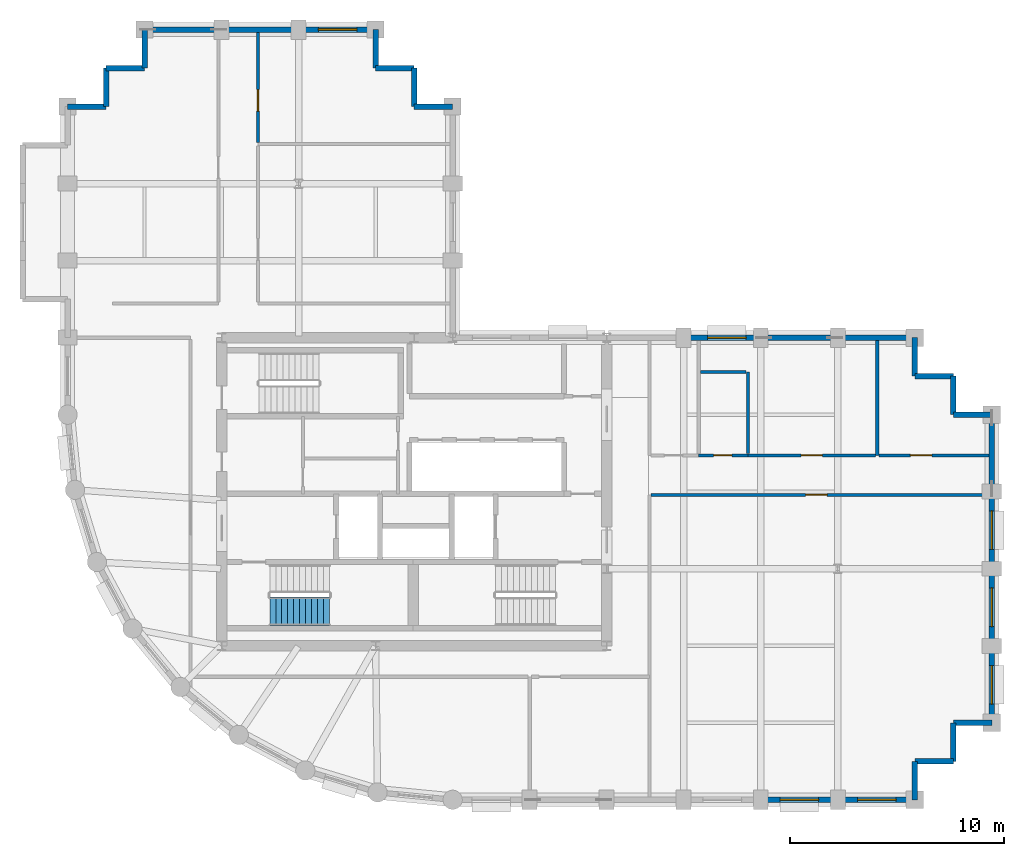
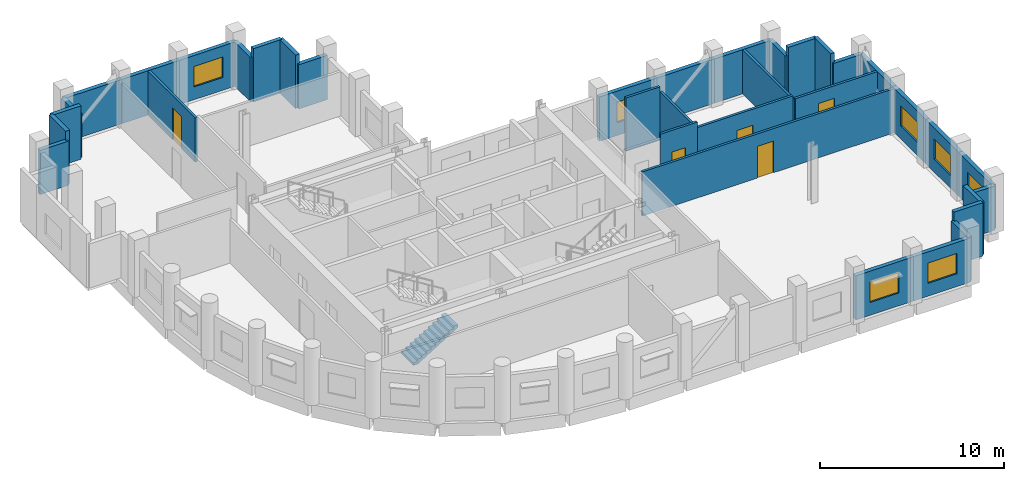
# One storey, part 5 of 8: 36 walls, 7 windows, 5 doors, 1 stair flight, 12 openings, 1 element without a shape of its own.
"""IFC4 building model written with IfcOpenShell, lengths in metres."""

from ifc_helpers import new_model, si_unit, direction, frame, frame_2d, origin, place, context, subcontext, project, spatial, polyline, rectangle, outline, extrude, material, layer, layer_set, type_object, element, fill, aggregate, save


model = new_model("IFC4")

# Units and contexts
model_context = context("Model", 3, precision=1e-05, world=origin(), true_north=direction((0.0, 1.0)))
body_context = subcontext(model_context, "Body", "Model", "MODEL_VIEW")
ifc_project = project(units=[si_unit("LENGTHUNIT", "METRE"), si_unit("AREAUNIT", "SQUARE_METRE"), si_unit("VOLUMEUNIT", "CUBIC_METRE"), si_unit("PLANEANGLEUNIT", "RADIAN"), si_unit("MASSUNIT", "GRAM", prefix="KILO")], contexts=[model_context])

# Site, building, storey
site_placement = place(None, origin())
site = spatial("IfcSite", under=ifc_project, at=site_placement, CompositionType="ELEMENT")
building_placement = place(site_placement, origin())
building = spatial("IfcBuilding", under=site, at=building_placement, Name="Solnavia Interchange Tower", CompositionType="ELEMENT")
storey_placement = place(building_placement, frame((0.0, 0.0, 190.0)))
storey = spatial("IfcBuildingStorey", under=building, at=storey_placement, Name="L47", CompositionType="ELEMENT", Elevation=190.0)

# Wall, opening, window
ifc_material_1 = material(Name="Concrete C40/50", Category="concrete")
ifc_layer_1 = layer(ifc_material_1, 0.25)
ifc_layer_set_1 = layer_set([ifc_layer_1], Name="Concrete C40/50")
wall_type_1 = type_object("IfcWallType", Name="Wall-ExtSpandrel-250", PredefinedType="STANDARD", material=ifc_layer_set_1)
wall_1_placement = place(storey_placement, frame((43.199951171875, 3.60009765625, 0.0), z_axis=(0.0, 0.0, 1.0), x_axis=(-1.0, 0.0, 0.0)))
wall_1 = element("IfcWall", 1, at=wall_1_placement, inside=storey, type_object=wall_type_1, Name="EXW-L47-05 Exterior precast spandrel wall", PredefinedType="STANDARD", context=body_context, shape_type="SweptSolid", body=[
    extrude(rectangle(XDim=3.599853515625, YDim=0.25, at=frame_2d((1.7998046875, 0.0))), origin(), (0.0, 0.0, 1.0), 2.929931640625),
])
opening_1_placement = place(wall_1_placement, frame((0.89990234375, 0.0, 0.85009765625)))
opening_1 = element("IfcOpeningElement", 2, at=opening_1_placement, cuts=wall_1, Name="Opening WIN-02", PredefinedType="OPENING", context=body_context, shape_type="SweptSolid", body=[
    extrude(rectangle(XDim=1.800048828125, YDim=1.35009765625, at=frame_2d((0.89990234375, 0.675048828125))), frame((0.0, 0.135009765625, 0.0), z_axis=(0.0, -1.0, 0.0), x_axis=(1.0, 0.0, 0.0)), (0.0, 0.0, 1.0), 0.27001953125),
])
ifc_material_2 = material(Name="Thermal-Break Aluminium & Low-E Glass", Category="aluminium")
window_type = type_object("IfcWindowType", Name="Window-Ribbon-1800x1350", PartitioningType="SINGLE_PANEL", PredefinedType="WINDOW", material=ifc_material_2)
window_1_placement = place(opening_1_placement, origin())
window_1 = element("IfcWindow", 3, at=window_1_placement, inside=storey, type_object=window_type, Name="WIN-L47-05 Facade ribbon window", OverallHeight=1.35009765625, OverallWidth=1.800048828125, PartitioningType="SINGLE_PANEL", PredefinedType="WINDOW", context=body_context, shape_type="SweptSolid", body=[
    extrude(rectangle(XDim=1.800048828125, YDim=1.35009765625, at=frame_2d((0.89990234375, 0.675048828125))), frame((0.0, 0.030029296875, 0.0), z_axis=(0.0, -1.0, 0.0), x_axis=(1.0, 0.0, 0.0)), (0.0, 0.0, 1.0), 0.06005859375),
])
fill(opening_1, window_1)

wall_2_placement = place(storey_placement, frame((46.800048828125, 3.60009765625, 0.0), z_axis=(0.0, 0.0, 1.0), x_axis=(-1.0, 0.0, 0.0)))
wall_2 = element("IfcWall", 4, at=wall_2_placement, inside=storey, type_object=wall_type_1, Name="EXW-L47-06 Exterior precast spandrel wall", PredefinedType="STANDARD", context=body_context, shape_type="SweptSolid", body=[
    extrude(rectangle(XDim=3.60009765625, YDim=0.25, at=frame_2d((1.800048828125, 0.0))), origin(), (0.0, 0.0, 1.0), 2.929931640625),
])
opening_2_placement = place(wall_2_placement, frame((0.875, 0.0, 0.85009765625)))
opening_2 = element("IfcOpeningElement", 5, at=opening_2_placement, cuts=wall_2, Name="Opening WIN-02", PredefinedType="OPENING", context=body_context, shape_type="SweptSolid", body=[
    extrude(rectangle(XDim=1.800048828125, YDim=1.35009765625, at=frame_2d((0.89990234375, 0.675048828125))), frame((0.0, 0.135009765625, 0.0), z_axis=(0.0, -1.0, 0.0), x_axis=(1.0, 0.0, 0.0)), (0.0, 0.0, 1.0), 0.27001953125),
])
window_2_placement = place(opening_2_placement, origin())
window_2 = element("IfcWindow", 6, at=window_2_placement, inside=storey, type_object=window_type, Name="WIN-L47-06 Facade ribbon window", OverallHeight=1.35009765625, OverallWidth=1.800048828125, PartitioningType="SINGLE_PANEL", PredefinedType="WINDOW", context=body_context, shape_type="SweptSolid", body=[
    extrude(rectangle(XDim=1.800048828125, YDim=1.35009765625, at=frame_2d((0.89990234375, 0.675048828125))), frame((0.0, 0.030029296875, 0.0), z_axis=(0.0, -1.0, 0.0), x_axis=(1.0, 0.0, 0.0)), (0.0, 0.0, 1.0), 0.06005859375),
])
fill(opening_2, window_2)

# Walls
wall_3_placement = place(storey_placement, frame((46.800048828125, 5.39990234375, 0.0), z_axis=(0.0, 0.0, 1.0), x_axis=(0.0, -1.0, 0.0)))
element("IfcWall", 7, at=wall_3_placement, inside=storey, type_object=wall_type_1, Name="EXW-L47-07 Exterior precast spandrel wall", PredefinedType="STANDARD", context=body_context, shape_type="SweptSolid", body=[
    extrude(rectangle(XDim=1.7998046875, YDim=0.25, at=frame_2d((0.89990234375, 0.0))), origin(), (0.0, 0.0, 1.0), 2.929931640625),
])
for number, where, z_axis, x_axis, name in (
    (8, (48.60009765625, 5.39990234375, 0.0), (0.0, 0.0, 1.0), (-1.0, 0.0, 0.0), "EXW-L47-08 Exterior precast spandrel wall"),
    (9, (48.60009765625, 7.199951171875, 0.0), (0.0, 0.0, 1.0), (0.0, -1.0, 0.0), "EXW-L47-09 Exterior precast spandrel wall"),
):
    element("IfcWall", number, at=place(storey_placement, frame(where, z_axis=z_axis, x_axis=x_axis)), inside=storey, type_object=wall_type_1, Name=name, PredefinedType="STANDARD", context=body_context, shape_type="SweptSolid", body=[
        extrude(rectangle(XDim=1.800048828125, YDim=0.25, at=frame_2d((0.89990234375, 0.0))), origin(), (0.0, 0.0, 1.0), 3.534912109375),
    ])
wall_4_placement = place(storey_placement, frame((50.39990234375, 7.199951171875, 0.0), z_axis=(0.0, 0.0, 1.0), x_axis=(-1.0, 0.0, 0.0)))
element("IfcWall", 10, at=wall_4_placement, inside=storey, type_object=wall_type_1, Name="EXW-L47-10 Exterior precast spandrel wall", PredefinedType="STANDARD", context=body_context, shape_type="SweptSolid", body=[
    extrude(rectangle(XDim=1.7998046875, YDim=0.25, at=frame_2d((0.89990234375, 0.0))), origin(), (0.0, 0.0, 1.0), 2.929931640625),
])

# Wall, opening, window
wall_5_placement = place(storey_placement, frame((50.39990234375, 10.800048828125, 0.0), z_axis=(0.0, 0.0, 1.0), x_axis=(0.0, -1.0, 0.0)))
wall_5 = element("IfcWall", 11, at=wall_5_placement, inside=storey, type_object=wall_type_1, Name="EXW-L47-11 Exterior precast spandrel wall", PredefinedType="STANDARD", context=body_context, shape_type="SweptSolid", body=[
    extrude(rectangle(XDim=3.60009765625, YDim=0.25, at=frame_2d((1.800048828125, 0.0))), origin(), (0.0, 0.0, 1.0), 2.929931640625),
])
opening_3_placement = place(wall_5_placement, frame((0.925048828125, 0.0, 0.85009765625)))
opening_3 = element("IfcOpeningElement", 12, at=opening_3_placement, cuts=wall_5, Name="Opening WIN-02", PredefinedType="OPENING", context=body_context, shape_type="SweptSolid", body=[
    extrude(rectangle(XDim=1.800048828125, YDim=1.35009765625, at=frame_2d((0.89990234375, 0.675048828125))), frame((0.0, 0.135009765625, 0.0), z_axis=(0.0, -1.0, 0.0), x_axis=(1.0, 0.0, 0.0)), (0.0, 0.0, 1.0), 0.27001953125),
])
window_3_placement = place(opening_3_placement, origin())
window_3 = element("IfcWindow", 13, at=window_3_placement, inside=storey, type_object=window_type, Name="WIN-L47-11 Facade ribbon window", OverallHeight=1.35009765625, OverallWidth=1.800048828125, PartitioningType="SINGLE_PANEL", PredefinedType="WINDOW", context=body_context, shape_type="SweptSolid", body=[
    extrude(rectangle(XDim=1.800048828125, YDim=1.35009765625, at=frame_2d((0.89990234375, 0.675048828125))), frame((0.0, 0.030029296875, 0.0), z_axis=(0.0, -1.0, 0.0), x_axis=(1.0, 0.0, 0.0)), (0.0, 0.0, 1.0), 0.06005859375),
])
fill(opening_3, window_3)

wall_6_placement = place(storey_placement, frame((50.39990234375, 14.39990234375, 0.0), z_axis=(0.0, 0.0, 1.0), x_axis=(0.0, -1.0, 0.0)))
wall_6 = element("IfcWall", 14, at=wall_6_placement, inside=storey, type_object=wall_type_1, Name="EXW-L47-12 Exterior precast spandrel wall", PredefinedType="STANDARD", context=body_context, shape_type="SweptSolid", body=[
    extrude(rectangle(XDim=3.599853515625, YDim=0.25, at=frame_2d((1.7998046875, 0.0))), origin(), (0.0, 0.0, 1.0), 2.929931640625),
])
opening_4_placement = place(wall_6_placement, frame((0.89990234375, 0.0, 0.85009765625)))
opening_4 = element("IfcOpeningElement", 15, at=opening_4_placement, cuts=wall_6, Name="Opening WIN-02", PredefinedType="OPENING", context=body_context, shape_type="SweptSolid", body=[
    extrude(rectangle(XDim=1.800048828125, YDim=1.35009765625, at=frame_2d((0.89990234375, 0.675048828125))), frame((0.0, 0.135009765625, 0.0), z_axis=(0.0, -1.0, 0.0), x_axis=(1.0, 0.0, 0.0)), (0.0, 0.0, 1.0), 0.27001953125),
])
window_4_placement = place(opening_4_placement, origin())
window_4 = element("IfcWindow", 16, at=window_4_placement, inside=storey, type_object=window_type, Name="WIN-L47-12 Facade ribbon window", OverallHeight=1.35009765625, OverallWidth=1.800048828125, PartitioningType="SINGLE_PANEL", PredefinedType="WINDOW", context=body_context, shape_type="SweptSolid", body=[
    extrude(rectangle(XDim=1.800048828125, YDim=1.35009765625, at=frame_2d((0.89990234375, 0.675048828125))), frame((0.0, 0.030029296875, 0.0), z_axis=(0.0, -1.0, 0.0), x_axis=(1.0, 0.0, 0.0)), (0.0, 0.0, 1.0), 0.06005859375),
])
fill(opening_4, window_4)

wall_7_placement = place(storey_placement, frame((50.39990234375, 18.0, 0.0), z_axis=(0.0, 0.0, 1.0), x_axis=(0.0, -1.0, 0.0)))
wall_7 = element("IfcWall", 17, at=wall_7_placement, inside=storey, type_object=wall_type_1, Name="EXW-L47-13 Exterior precast spandrel wall", PredefinedType="STANDARD", context=body_context, shape_type="SweptSolid", body=[
    extrude(rectangle(XDim=3.60009765625, YDim=0.25, at=frame_2d((1.800048828125, 0.0))), origin(), (0.0, 0.0, 1.0), 2.929931640625),
])
opening_5_placement = place(wall_7_placement, frame((0.89990234375, 0.0, 0.85009765625)))
opening_5 = element("IfcOpeningElement", 18, at=opening_5_placement, cuts=wall_7, Name="Opening WIN-02", PredefinedType="OPENING", context=body_context, shape_type="SweptSolid", body=[
    extrude(rectangle(XDim=1.800048828125, YDim=1.35009765625, at=frame_2d((0.89990234375, 0.675048828125))), frame((0.0, 0.135009765625, 0.0), z_axis=(0.0, -1.0, 0.0), x_axis=(1.0, 0.0, 0.0)), (0.0, 0.0, 1.0), 0.27001953125),
])
window_5_placement = place(opening_5_placement, origin())
window_5 = element("IfcWindow", 19, at=window_5_placement, inside=storey, type_object=window_type, Name="WIN-L47-13 Facade ribbon window", OverallHeight=1.35009765625, OverallWidth=1.800048828125, PartitioningType="SINGLE_PANEL", PredefinedType="WINDOW", context=body_context, shape_type="SweptSolid", body=[
    extrude(rectangle(XDim=1.800048828125, YDim=1.35009765625, at=frame_2d((0.89990234375, 0.675048828125))), frame((0.0, 0.030029296875, 0.0), z_axis=(0.0, -1.0, 0.0), x_axis=(1.0, 0.0, 0.0)), (0.0, 0.0, 1.0), 0.06005859375),
])
fill(opening_5, window_5)

# Walls
wall_8_placement = place(storey_placement, frame((50.39990234375, 21.60009765625, 0.0), z_axis=(0.0, 0.0, 1.0), x_axis=(0.0, -1.0, 0.0)))
element("IfcWall", 20, at=wall_8_placement, inside=storey, type_object=wall_type_1, Name="EXW-L47-14 Exterior precast spandrel wall", PredefinedType="STANDARD", context=body_context, shape_type="SweptSolid", body=[
    extrude(rectangle(XDim=3.60009765625, YDim=0.25, at=frame_2d((1.800048828125, 0.0))), origin(), (0.0, 0.0, 1.0), 2.929931640625),
])
wall_9_placement = place(storey_placement, frame((48.60009765625, 21.60009765625, 0.0), z_axis=(0.0, 0.0, 1.0), x_axis=(1.0, 0.0, 0.0)))
element("IfcWall", 21, at=wall_9_placement, inside=storey, type_object=wall_type_1, Name="EXW-L47-15 Exterior precast spandrel wall", PredefinedType="STANDARD", context=body_context, shape_type="SweptSolid", body=[
    extrude(rectangle(XDim=1.7998046875, YDim=0.25, at=frame_2d((0.89990234375, 0.0))), origin(), (0.0, 0.0, 1.0), 2.929931640625),
])
wall_10_placement = place(storey_placement, frame((48.60009765625, 23.39990234375, 0.0), z_axis=(0.0, 0.0, 1.0), x_axis=(0.0, -1.0, 0.0)))
element("IfcWall", 22, at=wall_10_placement, inside=storey, type_object=wall_type_1, Name="EXW-L47-16 Exterior precast spandrel wall", PredefinedType="STANDARD", context=body_context, shape_type="SweptSolid", body=[
    extrude(rectangle(XDim=1.7998046875, YDim=0.25, at=frame_2d((0.89990234375, 0.0))), origin(), (0.0, 0.0, 1.0), 3.534912109375),
])
wall_11_placement = place(storey_placement, frame((46.800048828125, 23.39990234375, 0.0), z_axis=(0.0, 0.0, 1.0), x_axis=(1.0, 0.0, 0.0)))
element("IfcWall", 23, at=wall_11_placement, inside=storey, type_object=wall_type_1, Name="EXW-L47-17 Exterior precast spandrel wall", PredefinedType="STANDARD", context=body_context, shape_type="SweptSolid", body=[
    extrude(rectangle(XDim=1.800048828125, YDim=0.25, at=frame_2d((0.89990234375, 0.0))), origin(), (0.0, 0.0, 1.0), 3.534912109375),
])
wall_12_placement = place(storey_placement, frame((46.800048828125, 25.199951171875, 0.0), z_axis=(0.0, 0.0, 1.0), x_axis=(0.0, -1.0, 0.0)))
element("IfcWall", 24, at=wall_12_placement, inside=storey, type_object=wall_type_1, Name="EXW-L47-18 Exterior precast spandrel wall", PredefinedType="STANDARD", context=body_context, shape_type="SweptSolid", body=[
    extrude(rectangle(XDim=1.800048828125, YDim=0.25, at=frame_2d((0.89990234375, 0.0))), origin(), (0.0, 0.0, 1.0), 2.929931640625),
])
wall_13_placement = place(storey_placement, frame((43.199951171875, 25.199951171875, 0.0), z_axis=(0.0, 0.0, 1.0), x_axis=(1.0, 0.0, 0.0)))
element("IfcWall", 25, at=wall_13_placement, inside=storey, type_object=wall_type_1, Name="EXW-L47-19 Exterior precast spandrel wall", PredefinedType="STANDARD", context=body_context, shape_type="SweptSolid", body=[
    extrude(rectangle(XDim=3.60009765625, YDim=0.25, at=frame_2d((1.800048828125, 0.0))), origin(), (0.0, 0.0, 1.0), 2.929931640625),
])
wall_14_placement = place(storey_placement, frame((39.60009765625, 25.199951171875, 0.0), z_axis=(0.0, 0.0, 1.0), x_axis=(1.0, 0.0, 0.0)))
element("IfcWall", 26, at=wall_14_placement, inside=storey, type_object=wall_type_1, Name="EXW-L47-20 Exterior precast spandrel wall", PredefinedType="STANDARD", context=body_context, shape_type="SweptSolid", body=[
    extrude(rectangle(XDim=3.599853515625, YDim=0.25, at=frame_2d((1.7998046875, 0.0))), origin(), (0.0, 0.0, 1.0), 2.929931640625),
])

# Wall, opening, window
wall_15_placement = place(storey_placement, frame((36.0, 25.199951171875, 0.0), z_axis=(0.0, 0.0, 1.0), x_axis=(1.0, 0.0, 0.0)))
wall_15 = element("IfcWall", 27, at=wall_15_placement, inside=storey, type_object=wall_type_1, Name="EXW-L47-21 Exterior precast spandrel wall", PredefinedType="STANDARD", context=body_context, shape_type="SweptSolid", body=[
    extrude(rectangle(XDim=3.60009765625, YDim=0.25, at=frame_2d((1.800048828125, 0.0))), origin(), (0.0, 0.0, 1.0), 2.929931640625),
])
opening_6_placement = place(wall_15_placement, frame((1.1201171875, 0.0, 0.85009765625)))
opening_6 = element("IfcOpeningElement", 28, at=opening_6_placement, cuts=wall_15, Name="Opening WIN-02", PredefinedType="OPENING", context=body_context, shape_type="SweptSolid", body=[
    extrude(rectangle(XDim=1.800048828125, YDim=1.35009765625, at=frame_2d((0.89990234375, 0.675048828125))), frame((0.0, 0.135009765625, 0.0), z_axis=(0.0, -1.0, 0.0), x_axis=(1.0, 0.0, 0.0)), (0.0, 0.0, 1.0), 0.27001953125),
])
window_6_placement = place(opening_6_placement, origin())
window_6 = element("IfcWindow", 29, at=window_6_placement, inside=storey, type_object=window_type, Name="WIN-L47-21 Facade ribbon window", OverallHeight=1.35009765625, OverallWidth=1.800048828125, PartitioningType="SINGLE_PANEL", PredefinedType="WINDOW", context=body_context, shape_type="SweptSolid", body=[
    extrude(rectangle(XDim=1.800048828125, YDim=1.35009765625, at=frame_2d((0.89990234375, 0.675048828125))), frame((0.0, 0.030029296875, 0.0), z_axis=(0.0, -1.0, 0.0), x_axis=(1.0, 0.0, 0.0)), (0.0, 0.0, 1.0), 0.06005859375),
])
fill(opening_6, window_6)

# Walls
wall_16_placement = place(storey_placement, frame((23.39990234375, 36.0, 0.0), z_axis=(0.0, 0.0, 1.0), x_axis=(1.0, 0.0, 0.0)))
element("IfcWall", 30, at=wall_16_placement, inside=storey, type_object=wall_type_1, Name="EXW-L47-28 Exterior precast spandrel wall", PredefinedType="STANDARD", context=body_context, shape_type="SweptSolid", body=[
    extrude(rectangle(XDim=1.800048828125, YDim=0.25, at=frame_2d((0.89990234375, 0.0))), origin(), (0.0, 0.0, 1.0), 2.929931640625),
])
wall_17_placement = place(storey_placement, frame((23.39990234375, 36.0, 0.0), z_axis=(0.0, 0.0, 1.0), x_axis=(0.0, 1.0, 0.0)))
element("IfcWall", 31, at=wall_17_placement, inside=storey, type_object=wall_type_1, Name="EXW-L47-29 Exterior precast spandrel wall", PredefinedType="STANDARD", context=body_context, shape_type="SweptSolid", body=[
    extrude(rectangle(XDim=1.800048828125, YDim=0.25, at=frame_2d((0.89990234375, 0.0))), origin(), (0.0, 0.0, 1.0), 3.534912109375),
])
wall_18_placement = place(storey_placement, frame((21.60009765625, 37.800048828125, 0.0), z_axis=(0.0, 0.0, 1.0), x_axis=(1.0, 0.0, 0.0)))
element("IfcWall", 32, at=wall_18_placement, inside=storey, type_object=wall_type_1, Name="EXW-L47-30 Exterior precast spandrel wall", PredefinedType="STANDARD", context=body_context, shape_type="SweptSolid", body=[
    extrude(rectangle(XDim=1.7998046875, YDim=0.25, at=frame_2d((0.89990234375, 0.0))), origin(), (0.0, 0.0, 1.0), 3.534912109375),
])
wall_19_placement = place(storey_placement, frame((21.60009765625, 37.800048828125, 0.0), z_axis=(0.0, 0.0, 1.0), x_axis=(0.0, 1.0, 0.0)))
element("IfcWall", 33, at=wall_19_placement, inside=storey, type_object=wall_type_1, Name="EXW-L47-31 Exterior precast spandrel wall", PredefinedType="STANDARD", context=body_context, shape_type="SweptSolid", body=[
    extrude(rectangle(XDim=1.800048828125, YDim=0.25, at=frame_2d((0.89990234375, 0.0))), origin(), (0.0, 0.0, 1.0), 2.929931640625),
])

# Wall, opening, window
wall_20_placement = place(storey_placement, frame((18.0, 39.60009765625, 0.0), z_axis=(0.0, 0.0, 1.0), x_axis=(1.0, 0.0, 0.0)))
wall_20 = element("IfcWall", 34, at=wall_20_placement, inside=storey, type_object=wall_type_1, Name="EXW-L47-32 Exterior precast spandrel wall", PredefinedType="STANDARD", context=body_context, shape_type="SweptSolid", body=[
    extrude(rectangle(XDim=3.60009765625, YDim=0.25, at=frame_2d((1.800048828125, 0.0))), origin(), (0.0, 0.0, 1.0), 2.929931640625),
])
opening_7_placement = place(wall_20_placement, frame((0.925048828125, 0.0, 0.85009765625)))
opening_7 = element("IfcOpeningElement", 35, at=opening_7_placement, cuts=wall_20, Name="Opening WIN-02", PredefinedType="OPENING", context=body_context, shape_type="SweptSolid", body=[
    extrude(rectangle(XDim=1.800048828125, YDim=1.35009765625, at=frame_2d((0.89990234375, 0.675048828125))), frame((0.0, 0.135009765625, 0.0), z_axis=(0.0, -1.0, 0.0), x_axis=(1.0, 0.0, 0.0)), (0.0, 0.0, 1.0), 0.27001953125),
])
window_7_placement = place(opening_7_placement, origin())
window_7 = element("IfcWindow", 36, at=window_7_placement, inside=storey, type_object=window_type, Name="WIN-L47-32 Facade ribbon window", OverallHeight=1.35009765625, OverallWidth=1.800048828125, PartitioningType="SINGLE_PANEL", PredefinedType="WINDOW", context=body_context, shape_type="SweptSolid", body=[
    extrude(rectangle(XDim=1.800048828125, YDim=1.35009765625, at=frame_2d((0.89990234375, 0.675048828125))), frame((0.0, 0.030029296875, 0.0), z_axis=(0.0, -1.0, 0.0), x_axis=(1.0, 0.0, 0.0)), (0.0, 0.0, 1.0), 0.06005859375),
])
fill(opening_7, window_7)

# Walls
wall_21_placement = place(storey_placement, frame((14.39990234375, 39.60009765625, 0.0), z_axis=(0.0, 0.0, 1.0), x_axis=(1.0, 0.0, 0.0)))
element("IfcWall", 37, at=wall_21_placement, inside=storey, type_object=wall_type_1, Name="EXW-L47-33 Exterior precast spandrel wall", PredefinedType="STANDARD", context=body_context, shape_type="SweptSolid", body=[
    extrude(rectangle(XDim=3.60009765625, YDim=0.25, at=frame_2d((1.800048828125, 0.0))), origin(), (0.0, 0.0, 1.0), 2.929931640625),
])
wall_22_placement = place(storey_placement, frame((10.800048828125, 39.60009765625, 0.0), z_axis=(0.0, 0.0, 1.0), x_axis=(1.0, 0.0, 0.0)))
element("IfcWall", 38, at=wall_22_placement, inside=storey, type_object=wall_type_1, Name="EXW-L47-34 Exterior precast spandrel wall", PredefinedType="STANDARD", context=body_context, shape_type="SweptSolid", body=[
    extrude(rectangle(XDim=3.599853515625, YDim=0.25, at=frame_2d((1.7998046875, 0.0))), origin(), (0.0, 0.0, 1.0), 2.929931640625),
])
wall_23_placement = place(storey_placement, frame((10.800048828125, 37.800048828125, 0.0), z_axis=(0.0, 0.0, 1.0), x_axis=(0.0, 1.0, 0.0)))
element("IfcWall", 39, at=wall_23_placement, inside=storey, type_object=wall_type_1, Name="EXW-L47-35 Exterior precast spandrel wall", PredefinedType="STANDARD", context=body_context, shape_type="SweptSolid", body=[
    extrude(rectangle(XDim=1.800048828125, YDim=0.25, at=frame_2d((0.89990234375, 0.0))), origin(), (0.0, 0.0, 1.0), 2.929931640625),
])
for number, where, z_axis, x_axis, name in (
    (40, (9.0, 37.800048828125, 0.0), (0.0, 0.0, 1.0), (1.0, 0.0, 0.0), "EXW-L47-36 Exterior precast spandrel wall"),
    (41, (9.0, 36.0, 0.0), (0.0, 0.0, 1.0), (0.0, 1.0, 0.0), "EXW-L47-37 Exterior precast spandrel wall"),
):
    element("IfcWall", number, at=place(storey_placement, frame(where, z_axis=z_axis, x_axis=x_axis)), inside=storey, type_object=wall_type_1, Name=name, PredefinedType="STANDARD", context=body_context, shape_type="SweptSolid", body=[
        extrude(rectangle(XDim=1.800048828125, YDim=0.25, at=frame_2d((0.89990234375, 0.0))), origin(), (0.0, 0.0, 1.0), 3.534912109375),
    ])
wall_24_placement = place(storey_placement, frame((7.199951171875, 36.0, 0.0), z_axis=(0.0, 0.0, 1.0), x_axis=(1.0, 0.0, 0.0)))
element("IfcWall", 42, at=wall_24_placement, inside=storey, type_object=wall_type_1, Name="EXW-L47-38 Exterior precast spandrel wall", PredefinedType="STANDARD", context=body_context, shape_type="SweptSolid", body=[
    extrude(rectangle(XDim=1.800048828125, YDim=0.25, at=frame_2d((0.89990234375, 0.0))), origin(), (0.0, 0.0, 1.0), 2.929931640625),
])

# Wall, opening, door
ifc_material_3 = material(Name="Gypsum Plasterboard & Steel Stud", Category="steel")
ifc_layer_2 = layer(ifc_material_3, 0.14990234375)
ifc_layer_set_2 = layer_set([ifc_layer_2], Name="Gypsum Plasterboard & Steel Stud")
wall_type_2 = type_object("IfcWallType", Name="Wall-Partition-150", PredefinedType="PARTITIONING", material=ifc_layer_set_2)
wall_25_placement = place(storey_placement, frame((34.47900390625, 17.85009765625, 0.0), z_axis=(0.0, 0.0, 1.0), x_axis=(1.0, 0.0, 0.0)))
wall_25 = element("IfcWall", 43, at=wall_25_placement, inside=storey, type_object=wall_type_2, Name="PTW-L47-13 Interior partition wall", PredefinedType="PARTITIONING", context=body_context, shape_type="SweptSolid", body=[
    extrude(rectangle(XDim=15.7919921875, YDim=0.14990234375, at=frame_2d((7.89599609375, 0.0))), origin(), (0.0, 0.0, 1.0), 2.929931640625),
])
opening_8_placement = place(wall_25_placement, frame((7.221923828125, 0.0, 0.0)))
opening_8 = element("IfcOpeningElement", 44, at=opening_8_placement, cuts=wall_25, Name="Opening DR-07", PredefinedType="OPENING", context=body_context, shape_type="SweptSolid", body=[
    extrude(rectangle(XDim=1.0, YDim=2.10009765625, at=frame_2d((0.5, 1.050048828125))), frame((0.0, 0.0849609375, 0.0), z_axis=(0.0, -1.0, 0.0), x_axis=(1.0, 0.0, 0.0)), (0.0, 0.0, 1.0), 0.169921875),
])
ifc_material_4 = material(Name="Timber & Acoustic Glazed Office Door", Category="wood")
door_type_1 = type_object("IfcDoorType", Name="Door-Office-1000x2100", OperationType="SINGLE_SWING_RIGHT", PredefinedType="DOOR", material=ifc_material_4)
door_1_placement = place(opening_8_placement, origin())
door_1 = element("IfcDoor", 45, at=door_1_placement, inside=storey, type_object=door_type_1, Name="DR-L47-05 Interior room door", OperationType="SINGLE_SWING_LEFT", OverallHeight=2.10009765625, OverallWidth=1.0, PredefinedType="DOOR", context=body_context, shape_type="SweptSolid", body=[
    extrude(rectangle(XDim=1.0, YDim=2.10009765625, at=frame_2d((0.5, 1.050048828125))), frame((0.0, 0.02490234375, 0.0), z_axis=(0.0, -1.0, 0.0), x_axis=(1.0, 0.0, 0.0)), (0.0, 0.0, 1.0), 0.050048828125),
])
fill(opening_8, door_1)

# Wall
wall_26_placement = place(storey_placement, frame((45.050048828125, 19.699951171875, 0.0), z_axis=(0.0, 0.0, 1.0), x_axis=(0.0, 1.0, 0.0)))
element("IfcWall", 46, at=wall_26_placement, inside=storey, type_object=wall_type_2, Name="PTW-L47-14 Interior partition wall", PredefinedType="PARTITIONING", context=body_context, shape_type="SweptSolid", body=[
    extrude(rectangle(XDim=5.37109375, YDim=0.14990234375, at=frame_2d((2.685546875, 0.0))), origin(), (0.0, 0.0, 1.0), 2.929931640625),
])

# Wall, opening, door
wall_27_placement = place(storey_placement, frame((39.0, 19.699951171875, 0.0), z_axis=(0.0, 0.0, 1.0), x_axis=(1.0, 0.0, 0.0)))
wall_27 = element("IfcWall", 47, at=wall_27_placement, inside=storey, type_object=wall_type_2, Name="PTW-L47-15 Interior partition wall", PredefinedType="PARTITIONING", context=body_context, shape_type="SweptSolid", body=[
    extrude(rectangle(XDim=5.970947265625, YDim=0.14990234375, at=frame_2d((2.9853515625, 0.0))), origin(), (0.0, 0.0, 1.0), 3.169921875),
])
opening_9_placement = place(wall_27_placement, frame((2.486083984375, 0.0, 0.0)))
opening_9 = element("IfcOpeningElement", 48, at=opening_9_placement, cuts=wall_27, Name="Opening DR-07", PredefinedType="OPENING", context=body_context, shape_type="SweptSolid", body=[
    extrude(rectangle(XDim=1.0, YDim=2.10009765625, at=frame_2d((0.5, 1.050048828125))), frame((0.0, 0.0849609375, 0.0), z_axis=(0.0, -1.0, 0.0), x_axis=(1.0, 0.0, 0.0)), (0.0, 0.0, 1.0), 0.169921875),
])
door_2_placement = place(opening_9_placement, origin())
door_2 = element("IfcDoor", 49, at=door_2_placement, inside=storey, type_object=door_type_1, Name="DR-L47-06 Interior room door", OperationType="SINGLE_SWING_RIGHT", OverallHeight=2.10009765625, OverallWidth=1.0, PredefinedType="DOOR", context=body_context, shape_type="SweptSolid", body=[
    extrude(rectangle(XDim=1.0, YDim=2.10009765625, at=frame_2d((0.5, 1.050048828125))), frame((0.0, 0.02490234375, 0.0), z_axis=(0.0, -1.0, 0.0), x_axis=(1.0, 0.0, 0.0)), (0.0, 0.0, 1.0), 0.050048828125),
])
fill(opening_9, door_2)

wall_28_placement = place(storey_placement, frame((45.12890625, 19.699951171875, 0.0), z_axis=(0.0, 0.0, 1.0), x_axis=(1.0, 0.0, 0.0)))
wall_28 = element("IfcWall", 50, at=wall_28_placement, inside=storey, type_object=wall_type_2, Name="PTW-L47-16 Interior partition wall", PredefinedType="PARTITIONING", context=body_context, shape_type="SweptSolid", body=[
    extrude(rectangle(XDim=5.14208984375, YDim=0.14990234375, at=frame_2d((2.571044921875, 0.0))), origin(), (0.0, 0.0, 1.0), 2.929931640625),
])
opening_10_placement = place(wall_28_placement, frame((1.465087890625, 0.0, 0.0)))
opening_10 = element("IfcOpeningElement", 51, at=opening_10_placement, cuts=wall_28, Name="Opening DR-07", PredefinedType="OPENING", context=body_context, shape_type="SweptSolid", body=[
    extrude(rectangle(XDim=1.0, YDim=2.10009765625, at=frame_2d((0.5, 1.050048828125))), frame((0.0, 0.0849609375, 0.0), z_axis=(0.0, -1.0, 0.0), x_axis=(1.0, 0.0, 0.0)), (0.0, 0.0, 1.0), 0.169921875),
])
door_3_placement = place(opening_10_placement, origin())
door_3 = element("IfcDoor", 52, at=door_3_placement, inside=storey, type_object=door_type_1, Name="DR-L47-07 Interior room door", OperationType="SINGLE_SWING_RIGHT", OverallHeight=2.10009765625, OverallWidth=1.0, PredefinedType="DOOR", context=body_context, shape_type="SweptSolid", body=[
    extrude(rectangle(XDim=1.0, YDim=2.10009765625, at=frame_2d((0.5, 1.050048828125))), frame((0.0, 0.02490234375, 0.0), z_axis=(0.0, -1.0, 0.0), x_axis=(1.0, 0.0, 0.0)), (0.0, 0.0, 1.0), 0.050048828125),
])
fill(opening_10, door_3)

wall_29_placement = place(storey_placement, frame((16.10009765625, 34.3291015625, 0.0), z_axis=(0.0, 0.0, 1.0), x_axis=(0.0, 1.0, 0.0)))
wall_29 = element("IfcWall", 53, at=wall_29_placement, inside=storey, type_object=wall_type_2, Name="PTW-L47-22 Interior partition wall", PredefinedType="PARTITIONING", context=body_context, shape_type="SweptSolid", body=[
    extrude(rectangle(XDim=5.141845703125, YDim=0.14990234375, at=frame_2d((2.57080078125, 0.0))), origin(), (0.0, 0.0, 1.0), 2.929931640625),
])
opening_11_placement = place(wall_29_placement, frame((1.465087890625, 0.0, 0.0)))
opening_11 = element("IfcOpeningElement", 54, at=opening_11_placement, cuts=wall_29, Name="Opening DR-07", PredefinedType="OPENING", context=body_context, shape_type="SweptSolid", body=[
    extrude(rectangle(XDim=1.0, YDim=2.10009765625, at=frame_2d((0.5, 1.050048828125))), frame((0.0, 0.0849609375, 0.0), z_axis=(0.0, -1.0, 0.0), x_axis=(1.0, 0.0, 0.0)), (0.0, 0.0, 1.0), 0.169921875),
])
door_4_placement = place(opening_11_placement, origin())
door_4 = element("IfcDoor", 55, at=door_4_placement, inside=storey, type_object=door_type_1, Name="DR-L47-10 Interior room door", OperationType="SINGLE_SWING_LEFT", OverallHeight=2.10009765625, OverallWidth=1.0, PredefinedType="DOOR", context=body_context, shape_type="SweptSolid", body=[
    extrude(rectangle(XDim=1.0, YDim=2.10009765625, at=frame_2d((0.5, 1.050048828125))), frame((0.0, 0.02490234375, 0.0), z_axis=(0.0, -1.0, 0.0), x_axis=(1.0, 0.0, 0.0)), (0.0, 0.0, 1.0), 0.050048828125),
])
fill(opening_11, door_4)

ifc_material_5 = material(Name="Moisture-Resistant Gypsum & Steel Stud", Category="steel")
ifc_layer_3 = layer(ifc_material_5, 0.14990234375)
ifc_layer_set_3 = layer_set([ifc_layer_3], Name="Moisture-Resistant Gypsum & Steel Stud")
wall_type_3 = type_object("IfcWallType", Name="Wall-WetRoom-150", PredefinedType="PARTITIONING", material=ifc_layer_set_3)
wall_30_placement = place(storey_placement, frame((36.699951171875, 19.699951171875, 0.0), z_axis=(0.0, 0.0, 1.0), x_axis=(1.0, 0.0, 0.0)))
wall_30 = element("IfcWall", 56, at=wall_30_placement, inside=storey, type_object=wall_type_3, Name="PTW-L47-04 Interior partition wall", PredefinedType="PARTITIONING", context=body_context, shape_type="SweptSolid", body=[
    extrude(rectangle(XDim=2.300048828125, YDim=0.14990234375, at=frame_2d((1.14990234375, 0.0))), origin(), (0.0, 0.0, 1.0), 3.534912109375),
])
opening_12_placement = place(wall_30_placement, frame((0.697021484375, 0.0, 0.0)))
opening_12 = element("IfcOpeningElement", 57, at=opening_12_placement, cuts=wall_30, Name="Opening DR-10", PredefinedType="OPENING", context=body_context, shape_type="SweptSolid", body=[
    extrude(rectangle(XDim=0.85009765625, YDim=2.10009765625, at=frame_2d((0.425048828125, 1.050048828125))), frame((0.0, 0.0849609375, 0.0), z_axis=(0.0, -1.0, 0.0), x_axis=(1.0, 0.0, 0.0)), (0.0, 0.0, 1.0), 0.169921875),
])
ifc_material_6 = material(Name="Moisture-Resistant Timber Door", Category="wood")
door_type_2 = type_object("IfcDoorType", Name="Door-Bathroom-850x2100", OperationType="SINGLE_SWING_RIGHT", PredefinedType="DOOR", material=ifc_material_6)
door_5_placement = place(opening_12_placement, origin())
door_5 = element("IfcDoor", 58, at=door_5_placement, inside=storey, type_object=door_type_2, Name="DR-L47-02 Interior room door", OperationType="SINGLE_SWING_RIGHT", OverallHeight=2.10009765625, OverallWidth=0.85009765625, PredefinedType="DOOR", context=body_context, shape_type="SweptSolid", body=[
    extrude(rectangle(XDim=0.85009765625, YDim=2.10009765625, at=frame_2d((0.425048828125, 1.050048828125))), frame((0.0, 0.02490234375, 0.0), z_axis=(0.0, -1.0, 0.0), x_axis=(1.0, 0.0, 0.0)), (0.0, 0.0, 1.0), 0.050048828125),
])
fill(opening_12, door_5)

# Walls
wall_31_placement = place(storey_placement, frame((39.0, 19.779052734375, 0.0), z_axis=(0.0, 0.0, 1.0), x_axis=(0.0, 1.0, 0.0)))
element("IfcWall", 59, at=wall_31_placement, inside=storey, type_object=wall_type_3, Name="PTW-L47-05 Interior partition wall", PredefinedType="PARTITIONING", context=body_context, shape_type="SweptSolid", body=[
    extrude(rectangle(XDim=3.821044921875, YDim=0.14990234375, at=frame_2d((1.91064453125, 0.0))), origin(), (0.0, 0.0, 1.0), 3.169921875),
])
wall_32_placement = place(storey_placement, frame((36.779052734375, 23.60009765625, 0.0), z_axis=(0.0, 0.0, 1.0), x_axis=(1.0, 0.0, 0.0)))
element("IfcWall", 60, at=wall_32_placement, inside=storey, type_object=wall_type_3, Name="PTW-L47-06 Interior partition wall", PredefinedType="PARTITIONING", context=body_context, shape_type="SweptSolid", body=[
    extrude(rectangle(XDim=2.141845703125, YDim=0.14990234375, at=frame_2d((1.07080078125, 0.0))), origin(), (0.0, 0.0, 1.0), 3.534912109375),
])

# Stair, stair flight
stair_type = type_object("IfcStairType", Name="Stair-Dogleg-RC", PredefinedType="HALF_TURN_STAIR", material=ifc_material_1)
stair_placement = place(storey_placement, origin())
stair = element("IfcStair", 61, at=stair_placement, inside=storey, type_object=stair_type, Name="L47 Core exit stair 1", PredefinedType="HALF_TURN_STAIR")
stair_flight_type = type_object("IfcStairFlightType", Name="StairFlight-RC-150", PredefinedType="STRAIGHT", material=ifc_material_1)
stair_flight_placement = place(storey_placement, frame((16.64990234375, 12.409912109375, 0.0), z_axis=(0.0, 0.0, 1.0), x_axis=(1.0, 0.0, 0.0)))
stair_flight = element("IfcStairFlight", 62, at=stair_flight_placement, type_object=stair_flight_type, Name="ST-1 flight 1", NumberOfRisers=11, NumberOfTreads=10, PredefinedType="STRAIGHT", RiserHeight=0.172727273, TreadLength=0.28, context=body_context, shape_type="SweptSolid", body=[
    extrude(outline(polyline([(0.0, 0.0), (0.0, 0.172607421875), (0.280029296875, 0.172607421875), (0.280029296875, 0.345458984375), (0.56005859375, 0.345458984375), (0.56005859375, 0.51806640625), (0.840087890625, 0.51806640625), (0.840087890625, 0.69091796875), (1.1201171875, 0.69091796875), (1.1201171875, 0.863525390625), (1.39990234375, 0.863525390625), (1.39990234375, 1.036376953125), (1.679931640625, 1.036376953125), (1.679931640625, 1.208984375), (1.9599609375, 1.208984375), (1.9599609375, 1.3818359375), (2.239990234375, 1.3818359375), (2.239990234375, 1.554443359375), (2.52001953125, 1.554443359375), (2.52001953125, 1.727294921875), (2.800048828125, 1.727294921875), (2.800048828125, 1.89990234375), (2.800048828125, 1.551025390625), (0.285400390625, 0.0), (0.0, 0.0)])), frame((0.0, 0.66015625, 0.0), z_axis=(0.0, -1.0, 0.0), x_axis=(1.0, 0.0, 0.0)), (0.0, 0.0, 1.0), 1.320068359375),
])
aggregate(stair, [stair_flight])

save(model, "model.ifc")
